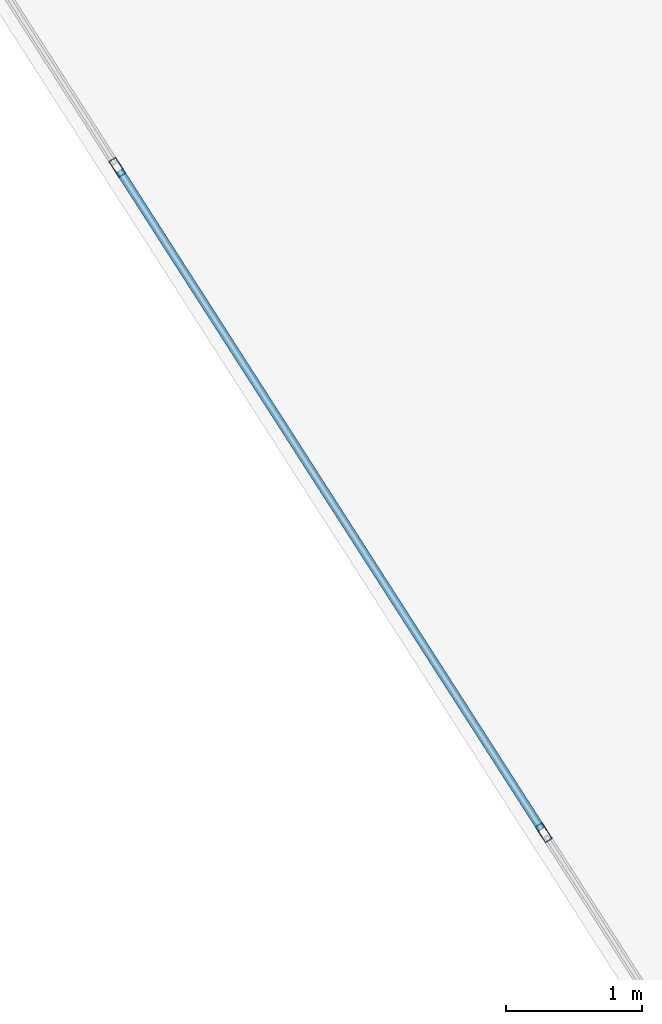
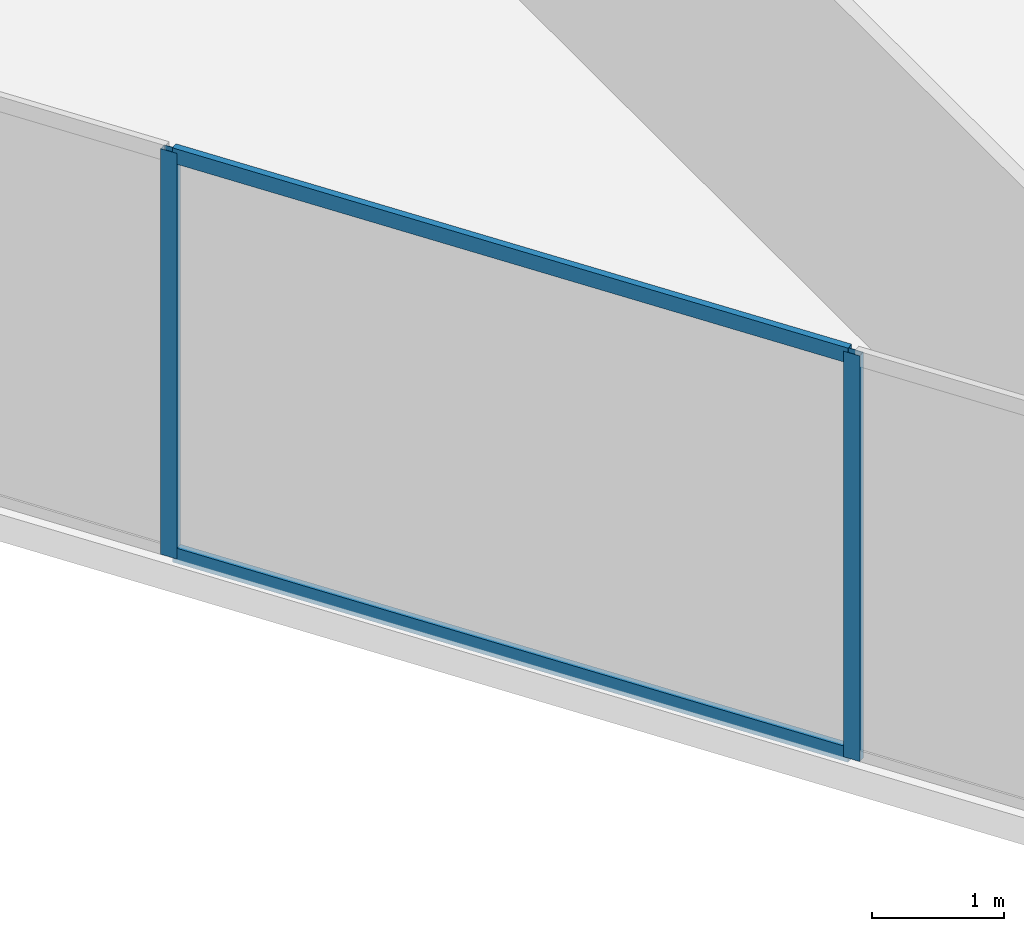
# One storey, part 11 of 20: 4 members, 1 element without a shape of its own.
"""IFC4 building model written with IfcOpenShell, lengths in metres."""

from ifc_helpers import new_model, si_unit, direction, frame, origin, origin_2d, place, context, subcontext, project, spatial, hollow_rectangle, extrude, material, layer, layer_set, material_profile, profile_set, type_object, element, aggregate, save


model = new_model("IFC4")

# Units and contexts
model_context = context("Model", 3, precision=1e-05, world=origin(), true_north=direction((0.0, 1.0)))
body_context = subcontext(model_context, "Body", "Model", "MODEL_VIEW")
ifc_project = project(units=[si_unit("LENGTHUNIT", "METRE"), si_unit("AREAUNIT", "SQUARE_METRE"), si_unit("VOLUMEUNIT", "CUBIC_METRE"), si_unit("PLANEANGLEUNIT", "RADIAN"), si_unit("MASSUNIT", "GRAM", prefix="KILO")], contexts=[model_context])

# Site, building, storey
site_placement = place(None, origin())
site = spatial("IfcSite", under=ifc_project, at=site_placement, CompositionType="ELEMENT")
building_placement = place(site_placement, origin())
building = spatial("IfcBuilding", under=site, at=building_placement, Name="Kravanh Interchange Tower", CompositionType="ELEMENT")
storey_placement = place(building_placement, frame((0.0, 0.0, 104.0)))
storey = spatial("IfcBuildingStorey", under=building, at=storey_placement, Name="L24", CompositionType="ELEMENT", Elevation=104.0)

# Curtain wall, members
ifc_material_1 = material(Name="Anodised Bronze Aluminium", Category="aluminium")
ifc_layer = layer(ifc_material_1, 0.179931640625)
ifc_layer_set = layer_set([ifc_layer], Name="Unitised Curtain Wall System CW-Z2 Mid Office")
curtain_wall_type = type_object("IfcCurtainWallType", Name="Unitised Curtain Wall System CW-Z2 Mid Office", PredefinedType="NOTDEFINED", material=ifc_layer_set)
curtain_wall_placement = place(storey_placement, origin())
curtain_wall = element("IfcCurtainWall", 1, at=curtain_wall_placement, inside=storey, type_object=curtain_wall_type, Name="L24 Unitised Curtain Wall CW-L24-03", PredefinedType="NOTDEFINED")
ifc_material_2 = material(Name="Anodised Bronze Aluminium", Category="aluminium")
ifc_material_profile_1 = material_profile(ifc_material_2, hollow_rectangle(XDim=0.06005859375, YDim=0.139892578125, WallThickness=0.00390625, at=origin_2d()), Name="ALU60X140X4")
ifc_profile_set_1 = profile_set([ifc_material_profile_1], Name="Anodised Bronze Aluminium")
member_type_1 = type_object("IfcMemberType", Name="Curtain Wall Mullion ALU60X140X4 Bronze", PredefinedType="MULLION", material=ifc_profile_set_1)
member_1_placement = place(storey_placement, frame((45.8828125, 16.12109375, 0.0), z_axis=(0.0, 0.0, 1.0), x_axis=(-0.841879939476, -0.539664865919, 0.0)))
member_1 = element("IfcMember", 2, at=member_1_placement, type_object=member_type_1, Name="CW-Z2 mullion 3", PredefinedType="MULLION", context=body_context, shape_type="SweptSolid", body=[
    extrude(hollow_rectangle(XDim=0.06005859375, YDim=0.139892578125, WallThickness=0.00390625, at=origin_2d()), origin(), (0.0, 0.0, 1.0), 3.75),
])
member_2_placement = place(storey_placement, frame((42.741455078125, 21.021728515625, 0.0), z_axis=(0.0, 0.0, 1.0), x_axis=(-0.841879939476, -0.539664865919, 0.0)))
member_2 = element("IfcMember", 3, at=member_2_placement, type_object=member_type_1, Name="CW-Z2 mullion 4", PredefinedType="MULLION", context=body_context, shape_type="SweptSolid", body=[
    extrude(hollow_rectangle(XDim=0.06005859375, YDim=0.139892578125, WallThickness=0.00390625, at=origin_2d()), origin(), (0.0, 0.0, 1.0), 3.75),
])
ifc_material_3 = material(Name="Anodised Bronze Aluminium", Category="aluminium")
ifc_material_profile_2 = material_profile(ifc_material_3, hollow_rectangle(XDim=0.06005859375, YDim=0.139892578125, WallThickness=0.00390625, at=origin_2d()), Name="ALU60X140X4")
ifc_profile_set_2 = profile_set([ifc_material_profile_2], Name="Anodised Bronze Aluminium")
member_type_2 = type_object("IfcMemberType", Name="Curtain Wall Transom ALU60X140X4 Bronze", PredefinedType="USERDEFINED", material=ifc_profile_set_2)
member_3_placement = place(storey_placement, frame((45.86669921875, 16.146484375, 0.030029296875), z_axis=(-0.539677666788, 0.84187173368, 0.0), x_axis=(-0.84187173368, -0.539677666788, 0.0)))
member_3 = element("IfcMember", 4, at=member_3_placement, type_object=member_type_2, Name="CW-Z2 transom 3.1", ObjectType="TRANSOM", PredefinedType="USERDEFINED", context=body_context, shape_type="SweptSolid", body=[
    extrude(hollow_rectangle(XDim=0.06005859375, YDim=0.139892578125, WallThickness=0.00390625, at=origin_2d()), origin(), (0.0, 0.0, 1.0), 5.760986328125),
])
member_4_placement = place(storey_placement, frame((45.86669921875, 16.146484375, 3.719970703125), z_axis=(-0.539677666788, 0.84187173368, 0.0), x_axis=(-0.84187173368, -0.539677666788, 0.0)))
member_4 = element("IfcMember", 5, at=member_4_placement, type_object=member_type_2, Name="CW-Z2 transom 3.2", ObjectType="TRANSOM", PredefinedType="USERDEFINED", context=body_context, shape_type="SweptSolid", body=[
    extrude(hollow_rectangle(XDim=0.06005859375, YDim=0.139892578125, WallThickness=0.00390625, at=origin_2d()), origin(), (0.0, 0.0, 1.0), 5.760986328125),
])
aggregate(curtain_wall, [member_1, member_2, member_3, member_4])

save(model, "model.ifc")
